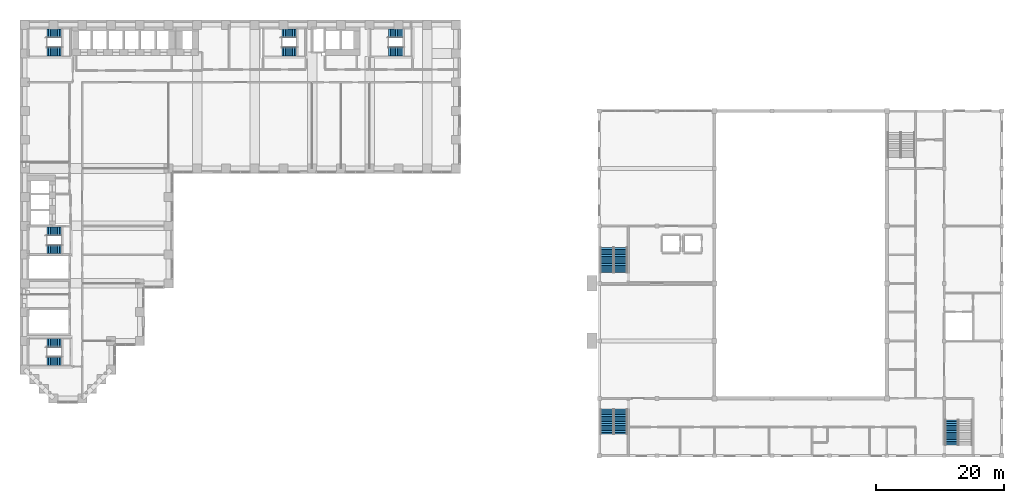
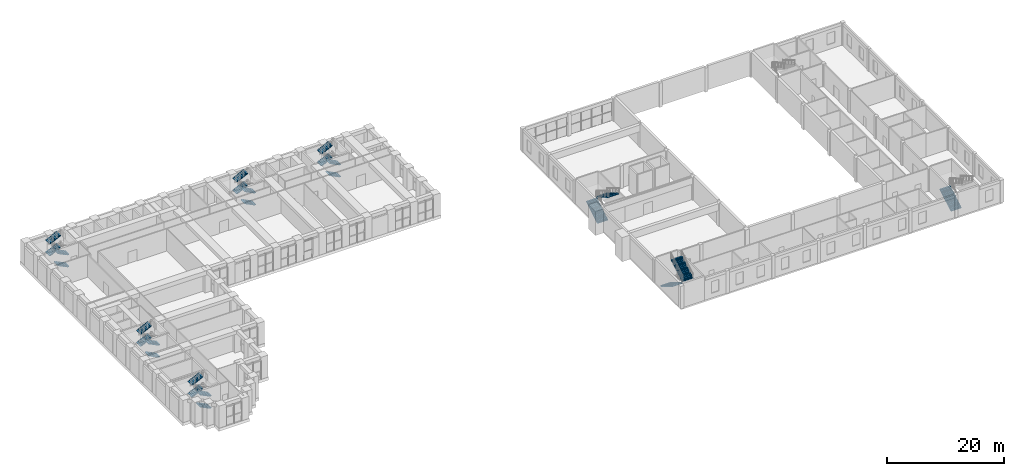
# One storey, part 24 of 30: 25 stair flights, 8 elements without a shape of their own.
"""IFC4 building model written with IfcOpenShell, lengths in metres."""

from ifc_helpers import new_model, si_unit, direction, frame, origin, place, context, subcontext, project, spatial, polyline, outline, extrude, material, layer, layer_set, type_object, element, aggregate, save


model = new_model("IFC4")

# Units and contexts
model_context = context("Model", 3, precision=1e-05, world=origin(), true_north=direction((0.0, 1.0)))
body_context = subcontext(model_context, "Body", "Model", "MODEL_VIEW")
ifc_project = project(units=[si_unit("LENGTHUNIT", "METRE"), si_unit("AREAUNIT", "SQUARE_METRE"), si_unit("VOLUMEUNIT", "CUBIC_METRE"), si_unit("PLANEANGLEUNIT", "RADIAN"), si_unit("MASSUNIT", "GRAM", prefix="KILO")], contexts=[model_context])

# Site, building, storey
site_placement = place(None, origin())
site = spatial("IfcSite", under=ifc_project, at=site_placement, CompositionType="ELEMENT")
building_placement = place(site_placement, origin())
building = spatial("IfcBuilding", under=site, at=building_placement, Name="Firuza Court", CompositionType="ELEMENT")
storey_placement = place(building_placement, frame((0.0, 0.0, 9.0)))
storey = spatial("IfcBuildingStorey", under=building, at=storey_placement, Name="L01", CompositionType="ELEMENT", Elevation=9.0)

# Stair, stair flights
ifc_material_1 = material(Name="Concrete C40/50 precast", Category="concrete")
stair_type_1 = type_object("IfcStairType", Name="Stair 1350 x 5000 4 flights", PredefinedType="QUARTER_TURN_STAIR", material=ifc_material_1)
stair_1_placement = place(storey_placement, origin())
stair_1 = element("IfcStair", 1, at=stair_1_placement, inside=storey, type_object=stair_type_1, Name="Stair 1 L01", PredefinedType="QUARTER_TURN_STAIR")
ifc_material_2 = material(Name="Concrete C40/50 precast", Category="concrete")
stair_flight_type_1 = type_object("IfcStairFlightType", Name="Flight 1350 riser 138.9", PredefinedType="STRAIGHT", material=ifc_material_2)
stair_flight_1_placement = place(storey_placement, frame((42.5, 54.324951171875, 0.0), z_axis=(0.0, 0.0, 1.0), x_axis=(-1.0, 0.0, 0.0)))
stair_flight_1 = element("IfcStairFlight", 2, at=stair_flight_1_placement, type_object=stair_flight_type_1, Name="S1 flight 1", NumberOfRisers=9, NumberOfTreads=8, PredefinedType="STRAIGHT", RiserHeight=0.138888889, TreadLength=0.28, context=body_context, shape_type="SweptSolid", body=[
    extrude(outline(polyline([(0.0, 0.0), (0.0, 0.138916015625), (0.280029296875, 0.138916015625), (0.280029296875, 0.27783203125), (0.56005859375, 0.27783203125), (0.56005859375, 0.416748046875), (0.840087890625, 0.416748046875), (0.840087890625, 0.5556640625), (1.1201171875, 0.5556640625), (1.1201171875, 0.6943359375), (1.39990234375, 0.6943359375), (1.39990234375, 0.833251953125), (1.679931640625, 0.833251953125), (1.679931640625, 0.97216796875), (1.9599609375, 0.97216796875), (1.9599609375, 1.111083984375), (2.239990234375, 1.111083984375), (2.239990234375, 1.25), (2.239990234375, 0.94384765625), (0.33740234375, 0.0), (0.0, 0.0)])), frame((0.0, 0.675048828125, 0.0), z_axis=(0.0, -1.0, 0.0), x_axis=(1.0, 0.0, 0.0)), (0.0, 0.0, 1.0), 1.35009765625),
])
stair_flight_2_placement = place(storey_placement, frame((40.260009765625, 57.175048828125, 1.25), z_axis=(0.0, 0.0, 1.0), x_axis=(1.0, 0.0, 0.0)))
stair_flight_2 = element("IfcStairFlight", 3, at=stair_flight_2_placement, type_object=stair_flight_type_1, Name="S1 flight 2", NumberOfRisers=9, NumberOfTreads=8, PredefinedType="STRAIGHT", RiserHeight=0.138888889, TreadLength=0.28, context=body_context, shape_type="SweptSolid", body=[
    extrude(outline(polyline([(0.0, 0.0), (0.0, 0.138916015625), (0.280029296875, 0.138916015625), (0.280029296875, 0.27783203125), (0.56005859375, 0.27783203125), (0.56005859375, 0.416748046875), (0.840087890625, 0.416748046875), (0.840087890625, 0.5556640625), (1.1201171875, 0.5556640625), (1.1201171875, 0.6943359375), (1.39990234375, 0.6943359375), (1.39990234375, 0.833251953125), (1.679931640625, 0.833251953125), (1.679931640625, 0.97216796875), (1.9599609375, 0.97216796875), (1.9599609375, 1.111083984375), (2.239990234375, 1.111083984375), (2.239990234375, 1.25), (2.239990234375, 0.94384765625), (0.33740234375, 0.0), (0.0, 0.0)])), frame((0.0, 0.675048828125, 0.0), z_axis=(0.0, -1.0, 0.0), x_axis=(1.0, 0.0, 0.0)), (0.0, 0.0, 1.0), 1.35009765625),
])
stair_flight_3_placement = place(storey_placement, frame((42.5, 54.324951171875, 2.5), z_axis=(0.0, 0.0, 1.0), x_axis=(-1.0, 0.0, 0.0)))
stair_flight_3 = element("IfcStairFlight", 4, at=stair_flight_3_placement, type_object=stair_flight_type_1, Name="S1 flight 3", NumberOfRisers=9, NumberOfTreads=8, PredefinedType="STRAIGHT", RiserHeight=0.138888889, TreadLength=0.28, context=body_context, shape_type="SweptSolid", body=[
    extrude(outline(polyline([(0.0, 0.0), (0.0, 0.138916015625), (0.280029296875, 0.138916015625), (0.280029296875, 0.27783203125), (0.56005859375, 0.27783203125), (0.56005859375, 0.416748046875), (0.840087890625, 0.416748046875), (0.840087890625, 0.5556640625), (1.1201171875, 0.5556640625), (1.1201171875, 0.6943359375), (1.39990234375, 0.6943359375), (1.39990234375, 0.833251953125), (1.679931640625, 0.833251953125), (1.679931640625, 0.97216796875), (1.9599609375, 0.97216796875), (1.9599609375, 1.111083984375), (2.239990234375, 1.111083984375), (2.239990234375, 1.25), (2.239990234375, 0.94384765625), (0.33740234375, 0.0), (0.0, 0.0)])), frame((0.0, 0.675048828125, 0.0), z_axis=(0.0, -1.0, 0.0), x_axis=(1.0, 0.0, 0.0)), (0.0, 0.0, 1.0), 1.35009765625),
])
stair_flight_4_placement = place(storey_placement, frame((40.260009765625, 57.175048828125, 3.75), z_axis=(0.0, 0.0, 1.0), x_axis=(1.0, 0.0, 0.0)))
stair_flight_4 = element("IfcStairFlight", 5, at=stair_flight_4_placement, type_object=stair_flight_type_1, Name="S1 flight 4", NumberOfRisers=9, NumberOfTreads=8, PredefinedType="STRAIGHT", RiserHeight=0.138888889, TreadLength=0.28, context=body_context, shape_type="SweptSolid", body=[
    extrude(outline(polyline([(0.0, 0.0), (0.0, 0.138916015625), (0.280029296875, 0.138916015625), (0.280029296875, 0.27783203125), (0.56005859375, 0.27783203125), (0.56005859375, 0.416748046875), (0.840087890625, 0.416748046875), (0.840087890625, 0.5556640625), (1.1201171875, 0.5556640625), (1.1201171875, 0.6943359375), (1.39990234375, 0.6943359375), (1.39990234375, 0.833251953125), (1.679931640625, 0.833251953125), (1.679931640625, 0.97216796875), (1.9599609375, 0.97216796875), (1.9599609375, 1.111083984375), (2.239990234375, 1.111083984375), (2.239990234375, 1.25), (2.239990234375, 0.94384765625), (0.33740234375, 0.0), (0.0, 0.0)])), frame((0.0, 0.675048828125, 0.0), z_axis=(0.0, -1.0, 0.0), x_axis=(1.0, 0.0, 0.0)), (0.0, 0.0, 1.0), 1.35009765625),
])
aggregate(stair_1, [stair_flight_1, stair_flight_2, stair_flight_3, stair_flight_4])

stair_2_placement = place(storey_placement, origin())
stair_2 = element("IfcStair", 6, at=stair_2_placement, inside=storey, type_object=stair_type_1, Name="Stair 2 L01", PredefinedType="QUARTER_TURN_STAIR")
stair_flight_5_placement = place(storey_placement, frame((5.699951171875, 23.324951171875, 0.0), z_axis=(0.0, 0.0, 1.0), x_axis=(-1.0, 0.0, 0.0)))
stair_flight_5 = element("IfcStairFlight", 7, at=stair_flight_5_placement, type_object=stair_flight_type_1, Name="S2 flight 1", NumberOfRisers=9, NumberOfTreads=8, PredefinedType="STRAIGHT", RiserHeight=0.138888889, TreadLength=0.28, context=body_context, shape_type="SweptSolid", body=[
    extrude(outline(polyline([(0.0, 0.0), (0.0, 0.138916015625), (0.280029296875, 0.138916015625), (0.280029296875, 0.27783203125), (0.56005859375, 0.27783203125), (0.56005859375, 0.416748046875), (0.840087890625, 0.416748046875), (0.840087890625, 0.5556640625), (1.1201171875, 0.5556640625), (1.1201171875, 0.6943359375), (1.39990234375, 0.6943359375), (1.39990234375, 0.833251953125), (1.679931640625, 0.833251953125), (1.679931640625, 0.97216796875), (1.9599609375, 0.97216796875), (1.9599609375, 1.111083984375), (2.239990234375, 1.111083984375), (2.239990234375, 1.25), (2.239990234375, 0.94384765625), (0.33740234375, 0.0), (0.0, 0.0)])), frame((0.0, 0.675048828125, 0.0), z_axis=(0.0, -1.0, 0.0), x_axis=(1.0, 0.0, 0.0)), (0.0, 0.0, 1.0), 1.35009765625),
])
stair_flight_6_placement = place(storey_placement, frame((3.4599609375, 26.175048828125, 1.25), z_axis=(0.0, 0.0, 1.0), x_axis=(1.0, 0.0, 0.0)))
stair_flight_6 = element("IfcStairFlight", 8, at=stair_flight_6_placement, type_object=stair_flight_type_1, Name="S2 flight 2", NumberOfRisers=9, NumberOfTreads=8, PredefinedType="STRAIGHT", RiserHeight=0.138888889, TreadLength=0.28, context=body_context, shape_type="SweptSolid", body=[
    extrude(outline(polyline([(0.0, 0.0), (0.0, 0.138916015625), (0.280029296875, 0.138916015625), (0.280029296875, 0.27783203125), (0.56005859375, 0.27783203125), (0.56005859375, 0.416748046875), (0.840087890625, 0.416748046875), (0.840087890625, 0.5556640625), (1.1201171875, 0.5556640625), (1.1201171875, 0.6943359375), (1.39990234375, 0.6943359375), (1.39990234375, 0.833251953125), (1.679931640625, 0.833251953125), (1.679931640625, 0.97216796875), (1.9599609375, 0.97216796875), (1.9599609375, 1.111083984375), (2.239990234375, 1.111083984375), (2.239990234375, 1.25), (2.239990234375, 0.94384765625), (0.33740234375, 0.0), (0.0, 0.0)])), frame((0.0, 0.675048828125, 0.0), z_axis=(0.0, -1.0, 0.0), x_axis=(1.0, 0.0, 0.0)), (0.0, 0.0, 1.0), 1.35009765625),
])
stair_flight_7_placement = place(storey_placement, frame((5.699951171875, 23.324951171875, 2.5), z_axis=(0.0, 0.0, 1.0), x_axis=(-1.0, 0.0, 0.0)))
stair_flight_7 = element("IfcStairFlight", 9, at=stair_flight_7_placement, type_object=stair_flight_type_1, Name="S2 flight 3", NumberOfRisers=9, NumberOfTreads=8, PredefinedType="STRAIGHT", RiserHeight=0.138888889, TreadLength=0.28, context=body_context, shape_type="SweptSolid", body=[
    extrude(outline(polyline([(0.0, 0.0), (0.0, 0.138916015625), (0.280029296875, 0.138916015625), (0.280029296875, 0.27783203125), (0.56005859375, 0.27783203125), (0.56005859375, 0.416748046875), (0.840087890625, 0.416748046875), (0.840087890625, 0.5556640625), (1.1201171875, 0.5556640625), (1.1201171875, 0.6943359375), (1.39990234375, 0.6943359375), (1.39990234375, 0.833251953125), (1.679931640625, 0.833251953125), (1.679931640625, 0.97216796875), (1.9599609375, 0.97216796875), (1.9599609375, 1.111083984375), (2.239990234375, 1.111083984375), (2.239990234375, 1.25), (2.239990234375, 0.94384765625), (0.33740234375, 0.0), (0.0, 0.0)])), frame((0.0, 0.675048828125, 0.0), z_axis=(0.0, -1.0, 0.0), x_axis=(1.0, 0.0, 0.0)), (0.0, 0.0, 1.0), 1.35009765625),
])
stair_flight_8_placement = place(storey_placement, frame((3.4599609375, 26.175048828125, 3.75), z_axis=(0.0, 0.0, 1.0), x_axis=(1.0, 0.0, 0.0)))
stair_flight_8 = element("IfcStairFlight", 10, at=stair_flight_8_placement, type_object=stair_flight_type_1, Name="S2 flight 4", NumberOfRisers=9, NumberOfTreads=8, PredefinedType="STRAIGHT", RiserHeight=0.138888889, TreadLength=0.28, context=body_context, shape_type="SweptSolid", body=[
    extrude(outline(polyline([(0.0, 0.0), (0.0, 0.138916015625), (0.280029296875, 0.138916015625), (0.280029296875, 0.27783203125), (0.56005859375, 0.27783203125), (0.56005859375, 0.416748046875), (0.840087890625, 0.416748046875), (0.840087890625, 0.5556640625), (1.1201171875, 0.5556640625), (1.1201171875, 0.6943359375), (1.39990234375, 0.6943359375), (1.39990234375, 0.833251953125), (1.679931640625, 0.833251953125), (1.679931640625, 0.97216796875), (1.9599609375, 0.97216796875), (1.9599609375, 1.111083984375), (2.239990234375, 1.111083984375), (2.239990234375, 1.25), (2.239990234375, 0.94384765625), (0.33740234375, 0.0), (0.0, 0.0)])), frame((0.0, 0.675048828125, 0.0), z_axis=(0.0, -1.0, 0.0), x_axis=(1.0, 0.0, 0.0)), (0.0, 0.0, 1.0), 1.35009765625),
])
aggregate(stair_2, [stair_flight_5, stair_flight_6, stair_flight_7, stair_flight_8])

stair_3_placement = place(storey_placement, origin())
stair_3 = element("IfcStair", 11, at=stair_3_placement, inside=storey, type_object=stair_type_1, Name="Stair 3 L01", PredefinedType="QUARTER_TURN_STAIR")
stair_flight_9_placement = place(storey_placement, frame((5.699951171875, 54.324951171875, 0.0), z_axis=(0.0, 0.0, 1.0), x_axis=(-1.0, 0.0, 0.0)))
stair_flight_9 = element("IfcStairFlight", 12, at=stair_flight_9_placement, type_object=stair_flight_type_1, Name="S3 flight 1", NumberOfRisers=9, NumberOfTreads=8, PredefinedType="STRAIGHT", RiserHeight=0.138888889, TreadLength=0.28, context=body_context, shape_type="SweptSolid", body=[
    extrude(outline(polyline([(0.0, 0.0), (0.0, 0.138916015625), (0.280029296875, 0.138916015625), (0.280029296875, 0.27783203125), (0.56005859375, 0.27783203125), (0.56005859375, 0.416748046875), (0.840087890625, 0.416748046875), (0.840087890625, 0.5556640625), (1.1201171875, 0.5556640625), (1.1201171875, 0.6943359375), (1.39990234375, 0.6943359375), (1.39990234375, 0.833251953125), (1.679931640625, 0.833251953125), (1.679931640625, 0.97216796875), (1.9599609375, 0.97216796875), (1.9599609375, 1.111083984375), (2.239990234375, 1.111083984375), (2.239990234375, 1.25), (2.239990234375, 0.94384765625), (0.33740234375, 0.0), (0.0, 0.0)])), frame((0.0, 0.675048828125, 0.0), z_axis=(0.0, -1.0, 0.0), x_axis=(1.0, 0.0, 0.0)), (0.0, 0.0, 1.0), 1.35009765625),
])
stair_flight_10_placement = place(storey_placement, frame((3.4599609375, 57.175048828125, 1.25), z_axis=(0.0, 0.0, 1.0), x_axis=(1.0, 0.0, 0.0)))
stair_flight_10 = element("IfcStairFlight", 13, at=stair_flight_10_placement, type_object=stair_flight_type_1, Name="S3 flight 2", NumberOfRisers=9, NumberOfTreads=8, PredefinedType="STRAIGHT", RiserHeight=0.138888889, TreadLength=0.28, context=body_context, shape_type="SweptSolid", body=[
    extrude(outline(polyline([(0.0, 0.0), (0.0, 0.138916015625), (0.280029296875, 0.138916015625), (0.280029296875, 0.27783203125), (0.56005859375, 0.27783203125), (0.56005859375, 0.416748046875), (0.840087890625, 0.416748046875), (0.840087890625, 0.5556640625), (1.1201171875, 0.5556640625), (1.1201171875, 0.6943359375), (1.39990234375, 0.6943359375), (1.39990234375, 0.833251953125), (1.679931640625, 0.833251953125), (1.679931640625, 0.97216796875), (1.9599609375, 0.97216796875), (1.9599609375, 1.111083984375), (2.239990234375, 1.111083984375), (2.239990234375, 1.25), (2.239990234375, 0.94384765625), (0.33740234375, 0.0), (0.0, 0.0)])), frame((0.0, 0.675048828125, 0.0), z_axis=(0.0, -1.0, 0.0), x_axis=(1.0, 0.0, 0.0)), (0.0, 0.0, 1.0), 1.35009765625),
])
stair_flight_11_placement = place(storey_placement, frame((5.699951171875, 54.324951171875, 2.5), z_axis=(0.0, 0.0, 1.0), x_axis=(-1.0, 0.0, 0.0)))
stair_flight_11 = element("IfcStairFlight", 14, at=stair_flight_11_placement, type_object=stair_flight_type_1, Name="S3 flight 3", NumberOfRisers=9, NumberOfTreads=8, PredefinedType="STRAIGHT", RiserHeight=0.138888889, TreadLength=0.28, context=body_context, shape_type="SweptSolid", body=[
    extrude(outline(polyline([(0.0, 0.0), (0.0, 0.138916015625), (0.280029296875, 0.138916015625), (0.280029296875, 0.27783203125), (0.56005859375, 0.27783203125), (0.56005859375, 0.416748046875), (0.840087890625, 0.416748046875), (0.840087890625, 0.5556640625), (1.1201171875, 0.5556640625), (1.1201171875, 0.6943359375), (1.39990234375, 0.6943359375), (1.39990234375, 0.833251953125), (1.679931640625, 0.833251953125), (1.679931640625, 0.97216796875), (1.9599609375, 0.97216796875), (1.9599609375, 1.111083984375), (2.239990234375, 1.111083984375), (2.239990234375, 1.25), (2.239990234375, 0.94384765625), (0.33740234375, 0.0), (0.0, 0.0)])), frame((0.0, 0.675048828125, 0.0), z_axis=(0.0, -1.0, 0.0), x_axis=(1.0, 0.0, 0.0)), (0.0, 0.0, 1.0), 1.35009765625),
])
stair_flight_12_placement = place(storey_placement, frame((3.4599609375, 57.175048828125, 3.75), z_axis=(0.0, 0.0, 1.0), x_axis=(1.0, 0.0, 0.0)))
stair_flight_12 = element("IfcStairFlight", 15, at=stair_flight_12_placement, type_object=stair_flight_type_1, Name="S3 flight 4", NumberOfRisers=9, NumberOfTreads=8, PredefinedType="STRAIGHT", RiserHeight=0.138888889, TreadLength=0.28, context=body_context, shape_type="SweptSolid", body=[
    extrude(outline(polyline([(0.0, 0.0), (0.0, 0.138916015625), (0.280029296875, 0.138916015625), (0.280029296875, 0.27783203125), (0.56005859375, 0.27783203125), (0.56005859375, 0.416748046875), (0.840087890625, 0.416748046875), (0.840087890625, 0.5556640625), (1.1201171875, 0.5556640625), (1.1201171875, 0.6943359375), (1.39990234375, 0.6943359375), (1.39990234375, 0.833251953125), (1.679931640625, 0.833251953125), (1.679931640625, 0.97216796875), (1.9599609375, 0.97216796875), (1.9599609375, 1.111083984375), (2.239990234375, 1.111083984375), (2.239990234375, 1.25), (2.239990234375, 0.94384765625), (0.33740234375, 0.0), (0.0, 0.0)])), frame((0.0, 0.675048828125, 0.0), z_axis=(0.0, -1.0, 0.0), x_axis=(1.0, 0.0, 0.0)), (0.0, 0.0, 1.0), 1.35009765625),
])
aggregate(stair_3, [stair_flight_9, stair_flight_10, stair_flight_11, stair_flight_12])

stair_4_placement = place(storey_placement, origin())
stair_4 = element("IfcStair", 16, at=stair_4_placement, inside=storey, type_object=stair_type_1, Name="Stair 4 L01", PredefinedType="QUARTER_TURN_STAIR")
stair_flight_13_placement = place(storey_placement, frame((59.199951171875, 54.324951171875, 0.0), z_axis=(0.0, 0.0, 1.0), x_axis=(-1.0, 0.0, 0.0)))
stair_flight_13 = element("IfcStairFlight", 17, at=stair_flight_13_placement, type_object=stair_flight_type_1, Name="S4 flight 1", NumberOfRisers=9, NumberOfTreads=8, PredefinedType="STRAIGHT", RiserHeight=0.138888889, TreadLength=0.28, context=body_context, shape_type="SweptSolid", body=[
    extrude(outline(polyline([(0.0, 0.0), (0.0, 0.138916015625), (0.280029296875, 0.138916015625), (0.280029296875, 0.27783203125), (0.56005859375, 0.27783203125), (0.56005859375, 0.416748046875), (0.840087890625, 0.416748046875), (0.840087890625, 0.5556640625), (1.1201171875, 0.5556640625), (1.1201171875, 0.6943359375), (1.39990234375, 0.6943359375), (1.39990234375, 0.833251953125), (1.679931640625, 0.833251953125), (1.679931640625, 0.97216796875), (1.9599609375, 0.97216796875), (1.9599609375, 1.111083984375), (2.239990234375, 1.111083984375), (2.239990234375, 1.25), (2.239990234375, 0.94384765625), (0.33740234375, 0.0), (0.0, 0.0)])), frame((0.0, 0.675048828125, 0.0), z_axis=(0.0, -1.0, 0.0), x_axis=(1.0, 0.0, 0.0)), (0.0, 0.0, 1.0), 1.35009765625),
])
stair_flight_14_placement = place(storey_placement, frame((56.9599609375, 57.175048828125, 1.25), z_axis=(0.0, 0.0, 1.0), x_axis=(1.0, 0.0, 0.0)))
stair_flight_14 = element("IfcStairFlight", 18, at=stair_flight_14_placement, type_object=stair_flight_type_1, Name="S4 flight 2", NumberOfRisers=9, NumberOfTreads=8, PredefinedType="STRAIGHT", RiserHeight=0.138888889, TreadLength=0.28, context=body_context, shape_type="SweptSolid", body=[
    extrude(outline(polyline([(0.0, 0.0), (0.0, 0.138916015625), (0.280029296875, 0.138916015625), (0.280029296875, 0.27783203125), (0.56005859375, 0.27783203125), (0.56005859375, 0.416748046875), (0.840087890625, 0.416748046875), (0.840087890625, 0.5556640625), (1.1201171875, 0.5556640625), (1.1201171875, 0.6943359375), (1.39990234375, 0.6943359375), (1.39990234375, 0.833251953125), (1.679931640625, 0.833251953125), (1.679931640625, 0.97216796875), (1.9599609375, 0.97216796875), (1.9599609375, 1.111083984375), (2.239990234375, 1.111083984375), (2.239990234375, 1.25), (2.239990234375, 0.94384765625), (0.33740234375, 0.0), (0.0, 0.0)])), frame((0.0, 0.675048828125, 0.0), z_axis=(0.0, -1.0, 0.0), x_axis=(1.0, 0.0, 0.0)), (0.0, 0.0, 1.0), 1.35009765625),
])
stair_flight_15_placement = place(storey_placement, frame((59.199951171875, 54.324951171875, 2.5), z_axis=(0.0, 0.0, 1.0), x_axis=(-1.0, 0.0, 0.0)))
stair_flight_15 = element("IfcStairFlight", 19, at=stair_flight_15_placement, type_object=stair_flight_type_1, Name="S4 flight 3", NumberOfRisers=9, NumberOfTreads=8, PredefinedType="STRAIGHT", RiserHeight=0.138888889, TreadLength=0.28, context=body_context, shape_type="SweptSolid", body=[
    extrude(outline(polyline([(0.0, 0.0), (0.0, 0.138916015625), (0.280029296875, 0.138916015625), (0.280029296875, 0.27783203125), (0.56005859375, 0.27783203125), (0.56005859375, 0.416748046875), (0.840087890625, 0.416748046875), (0.840087890625, 0.5556640625), (1.1201171875, 0.5556640625), (1.1201171875, 0.6943359375), (1.39990234375, 0.6943359375), (1.39990234375, 0.833251953125), (1.679931640625, 0.833251953125), (1.679931640625, 0.97216796875), (1.9599609375, 0.97216796875), (1.9599609375, 1.111083984375), (2.239990234375, 1.111083984375), (2.239990234375, 1.25), (2.239990234375, 0.94384765625), (0.33740234375, 0.0), (0.0, 0.0)])), frame((0.0, 0.675048828125, 0.0), z_axis=(0.0, -1.0, 0.0), x_axis=(1.0, 0.0, 0.0)), (0.0, 0.0, 1.0), 1.35009765625),
])
stair_flight_16_placement = place(storey_placement, frame((56.9599609375, 57.175048828125, 3.75), z_axis=(0.0, 0.0, 1.0), x_axis=(1.0, 0.0, 0.0)))
stair_flight_16 = element("IfcStairFlight", 20, at=stair_flight_16_placement, type_object=stair_flight_type_1, Name="S4 flight 4", NumberOfRisers=9, NumberOfTreads=8, PredefinedType="STRAIGHT", RiserHeight=0.138888889, TreadLength=0.28, context=body_context, shape_type="SweptSolid", body=[
    extrude(outline(polyline([(0.0, 0.0), (0.0, 0.138916015625), (0.280029296875, 0.138916015625), (0.280029296875, 0.27783203125), (0.56005859375, 0.27783203125), (0.56005859375, 0.416748046875), (0.840087890625, 0.416748046875), (0.840087890625, 0.5556640625), (1.1201171875, 0.5556640625), (1.1201171875, 0.6943359375), (1.39990234375, 0.6943359375), (1.39990234375, 0.833251953125), (1.679931640625, 0.833251953125), (1.679931640625, 0.97216796875), (1.9599609375, 0.97216796875), (1.9599609375, 1.111083984375), (2.239990234375, 1.111083984375), (2.239990234375, 1.25), (2.239990234375, 0.94384765625), (0.33740234375, 0.0), (0.0, 0.0)])), frame((0.0, 0.675048828125, 0.0), z_axis=(0.0, -1.0, 0.0), x_axis=(1.0, 0.0, 0.0)), (0.0, 0.0, 1.0), 1.35009765625),
])
aggregate(stair_4, [stair_flight_13, stair_flight_14, stair_flight_15, stair_flight_16])

stair_5_placement = place(storey_placement, origin())
stair_5 = element("IfcStair", 21, at=stair_5_placement, inside=storey, type_object=stair_type_1, Name="Stair 5 L01", PredefinedType="QUARTER_TURN_STAIR")
stair_flight_17_placement = place(storey_placement, frame((5.699951171875, 5.824951171875, 0.0), z_axis=(0.0, 0.0, 1.0), x_axis=(-1.0, 0.0, 0.0)))
stair_flight_17 = element("IfcStairFlight", 22, at=stair_flight_17_placement, type_object=stair_flight_type_1, Name="S5 flight 1", NumberOfRisers=9, NumberOfTreads=8, PredefinedType="STRAIGHT", RiserHeight=0.138888889, TreadLength=0.28, context=body_context, shape_type="SweptSolid", body=[
    extrude(outline(polyline([(0.0, 0.0), (0.0, 0.138916015625), (0.280029296875, 0.138916015625), (0.280029296875, 0.27783203125), (0.56005859375, 0.27783203125), (0.56005859375, 0.416748046875), (0.840087890625, 0.416748046875), (0.840087890625, 0.5556640625), (1.1201171875, 0.5556640625), (1.1201171875, 0.6943359375), (1.39990234375, 0.6943359375), (1.39990234375, 0.833251953125), (1.679931640625, 0.833251953125), (1.679931640625, 0.97216796875), (1.9599609375, 0.97216796875), (1.9599609375, 1.111083984375), (2.239990234375, 1.111083984375), (2.239990234375, 1.25), (2.239990234375, 0.94384765625), (0.33740234375, 0.0), (0.0, 0.0)])), frame((0.0, 0.675048828125, 0.0), z_axis=(0.0, -1.0, 0.0), x_axis=(1.0, 0.0, 0.0)), (0.0, 0.0, 1.0), 1.35009765625),
])
stair_flight_18_placement = place(storey_placement, frame((3.4599609375, 8.675048828125, 1.25), z_axis=(0.0, 0.0, 1.0), x_axis=(1.0, 0.0, 0.0)))
stair_flight_18 = element("IfcStairFlight", 23, at=stair_flight_18_placement, type_object=stair_flight_type_1, Name="S5 flight 2", NumberOfRisers=9, NumberOfTreads=8, PredefinedType="STRAIGHT", RiserHeight=0.138888889, TreadLength=0.28, context=body_context, shape_type="SweptSolid", body=[
    extrude(outline(polyline([(0.0, 0.0), (0.0, 0.138916015625), (0.280029296875, 0.138916015625), (0.280029296875, 0.27783203125), (0.56005859375, 0.27783203125), (0.56005859375, 0.416748046875), (0.840087890625, 0.416748046875), (0.840087890625, 0.5556640625), (1.1201171875, 0.5556640625), (1.1201171875, 0.6943359375), (1.39990234375, 0.6943359375), (1.39990234375, 0.833251953125), (1.679931640625, 0.833251953125), (1.679931640625, 0.97216796875), (1.9599609375, 0.97216796875), (1.9599609375, 1.111083984375), (2.239990234375, 1.111083984375), (2.239990234375, 1.25), (2.239990234375, 0.94384765625), (0.33740234375, 0.0), (0.0, 0.0)])), frame((0.0, 0.675048828125, 0.0), z_axis=(0.0, -1.0, 0.0), x_axis=(1.0, 0.0, 0.0)), (0.0, 0.0, 1.0), 1.35009765625),
])
stair_flight_19_placement = place(storey_placement, frame((5.699951171875, 5.824951171875, 2.5), z_axis=(0.0, 0.0, 1.0), x_axis=(-1.0, 0.0, 0.0)))
stair_flight_19 = element("IfcStairFlight", 24, at=stair_flight_19_placement, type_object=stair_flight_type_1, Name="S5 flight 3", NumberOfRisers=9, NumberOfTreads=8, PredefinedType="STRAIGHT", RiserHeight=0.138888889, TreadLength=0.28, context=body_context, shape_type="SweptSolid", body=[
    extrude(outline(polyline([(0.0, 0.0), (0.0, 0.138916015625), (0.280029296875, 0.138916015625), (0.280029296875, 0.27783203125), (0.56005859375, 0.27783203125), (0.56005859375, 0.416748046875), (0.840087890625, 0.416748046875), (0.840087890625, 0.5556640625), (1.1201171875, 0.5556640625), (1.1201171875, 0.6943359375), (1.39990234375, 0.6943359375), (1.39990234375, 0.833251953125), (1.679931640625, 0.833251953125), (1.679931640625, 0.97216796875), (1.9599609375, 0.97216796875), (1.9599609375, 1.111083984375), (2.239990234375, 1.111083984375), (2.239990234375, 1.25), (2.239990234375, 0.94384765625), (0.33740234375, 0.0), (0.0, 0.0)])), frame((0.0, 0.675048828125, 0.0), z_axis=(0.0, -1.0, 0.0), x_axis=(1.0, 0.0, 0.0)), (0.0, 0.0, 1.0), 1.35009765625),
])
stair_flight_20_placement = place(storey_placement, frame((3.4599609375, 8.675048828125, 3.75), z_axis=(0.0, 0.0, 1.0), x_axis=(1.0, 0.0, 0.0)))
stair_flight_20 = element("IfcStairFlight", 25, at=stair_flight_20_placement, type_object=stair_flight_type_1, Name="S5 flight 4", NumberOfRisers=9, NumberOfTreads=8, PredefinedType="STRAIGHT", RiserHeight=0.138888889, TreadLength=0.28, context=body_context, shape_type="SweptSolid", body=[
    extrude(outline(polyline([(0.0, 0.0), (0.0, 0.138916015625), (0.280029296875, 0.138916015625), (0.280029296875, 0.27783203125), (0.56005859375, 0.27783203125), (0.56005859375, 0.416748046875), (0.840087890625, 0.416748046875), (0.840087890625, 0.5556640625), (1.1201171875, 0.5556640625), (1.1201171875, 0.6943359375), (1.39990234375, 0.6943359375), (1.39990234375, 0.833251953125), (1.679931640625, 0.833251953125), (1.679931640625, 0.97216796875), (1.9599609375, 0.97216796875), (1.9599609375, 1.111083984375), (2.239990234375, 1.111083984375), (2.239990234375, 1.25), (2.239990234375, 0.94384765625), (0.33740234375, 0.0), (0.0, 0.0)])), frame((0.0, 0.675048828125, 0.0), z_axis=(0.0, -1.0, 0.0), x_axis=(1.0, 0.0, 0.0)), (0.0, 0.0, 1.0), 1.35009765625),
])
aggregate(stair_5, [stair_flight_17, stair_flight_18, stair_flight_19, stair_flight_20])

ifc_material_3 = material(Name="Concrete C40/50", Category="concrete")
stair_type_2 = type_object("IfcStairType", Name="HALL STAIR", PredefinedType="NOTDEFINED", material=ifc_material_3)
stair_6_placement = place(storey_placement, origin())
stair_6 = element("IfcStair", 26, at=stair_6_placement, inside=storey, type_object=stair_type_2, Name="Stair H1 L01", PredefinedType="NOTDEFINED")
ifc_material_4 = material(Name="Concrete C40/50", Category="concrete")
ifc_layer = layer(ifc_material_4, 0.14990234375)
ifc_layer_set = layer_set([ifc_layer], Name="Concrete C40/50")
stair_flight_type_2 = type_object("IfcStairFlightType", Name="HALL STAIR FLIGHT", PredefinedType="STRAIGHT", material=ifc_layer_set)
stair_flight_21_placement = place(storey_placement, frame((91.16259765625, -1.699951171875, 0.0), z_axis=(0.0, 0.0, 1.0), x_axis=(0.0, -1.0, 0.0)))
stair_flight_21 = element("IfcStairFlight", 27, at=stair_flight_21_placement, type_object=stair_flight_type_2, Name="HS-1 flight 1", NumberOfRisers=15, NumberOfTreads=14, PredefinedType="STRAIGHT", RiserHeight=0.166666667, TreadLength=0.28, context=body_context, shape_type="SweptSolid", body=[
    extrude(outline(polyline([(0.0, 0.0), (0.0, 0.166748046875), (0.280029296875, 0.166748046875), (0.280029296875, 0.333251953125), (0.56005859375, 0.333251953125), (0.56005859375, 0.5), (0.840087890625, 0.5), (0.840087890625, 0.666748046875), (1.1201171875, 0.666748046875), (1.1201171875, 0.833251953125), (1.39990234375, 0.833251953125), (1.39990234375, 1.0), (1.679931640625, 1.0), (1.679931640625, 1.166748046875), (1.9599609375, 1.166748046875), (1.9599609375, 1.333251953125), (2.239990234375, 1.333251953125), (2.239990234375, 1.5), (2.52001953125, 1.5), (2.52001953125, 1.666748046875), (2.800048828125, 1.666748046875), (2.800048828125, 1.833251953125), (3.080078125, 1.833251953125), (3.080078125, 2.0), (3.360107421875, 2.0), (3.360107421875, 2.166748046875), (3.639892578125, 2.166748046875), (3.639892578125, 2.333251953125), (3.919921875, 2.333251953125), (3.919921875, 2.5), (3.919921875, 2.158935546875), (0.29296875, 0.0), (0.0, 0.0)])), frame((0.0, 1.03759765625, 0.0), z_axis=(0.0, -1.0, 0.0), x_axis=(1.0, 0.0, 0.0)), (0.0, 0.0, 1.0), 2.074951171875),
])
stair_flight_22_placement = place(storey_placement, frame((93.28759765625, -5.6201171875, 2.5), z_axis=(0.0, 0.0, 1.0), x_axis=(0.0, 1.0, 0.0)))
stair_flight_22 = element("IfcStairFlight", 28, at=stair_flight_22_placement, type_object=stair_flight_type_2, Name="HS-1 flight 2", NumberOfRisers=15, NumberOfTreads=14, PredefinedType="STRAIGHT", RiserHeight=0.166666667, TreadLength=0.28, context=body_context, shape_type="SweptSolid", body=[
    extrude(outline(polyline([(0.0, 0.0), (0.0, 0.166748046875), (0.280029296875, 0.166748046875), (0.280029296875, 0.333251953125), (0.56005859375, 0.333251953125), (0.56005859375, 0.5), (0.840087890625, 0.5), (0.840087890625, 0.666748046875), (1.1201171875, 0.666748046875), (1.1201171875, 0.833251953125), (1.39990234375, 0.833251953125), (1.39990234375, 1.0), (1.679931640625, 1.0), (1.679931640625, 1.166748046875), (1.9599609375, 1.166748046875), (1.9599609375, 1.333251953125), (2.239990234375, 1.333251953125), (2.239990234375, 1.5), (2.52001953125, 1.5), (2.52001953125, 1.666748046875), (2.800048828125, 1.666748046875), (2.800048828125, 1.833251953125), (3.080078125, 1.833251953125), (3.080078125, 2.0), (3.360107421875, 2.0), (3.360107421875, 2.166748046875), (3.639892578125, 2.166748046875), (3.639892578125, 2.333251953125), (3.919921875, 2.333251953125), (3.919921875, 2.5), (3.919921875, 2.158935546875), (0.29296875, 0.0), (0.0, 0.0)])), frame((0.0, 1.08740234375, 0.0), z_axis=(0.0, -1.0, 0.0), x_axis=(1.0, 0.0, 0.0)), (0.0, 0.0, 1.0), 2.175048828125),
])
aggregate(stair_6, [stair_flight_21, stair_flight_22])

# Stair, stair flight
stair_7_placement = place(storey_placement, origin())
stair_7 = element("IfcStair", 29, at=stair_7_placement, inside=storey, type_object=stair_type_2, Name="Stair H2 L01", PredefinedType="NOTDEFINED")
stair_flight_23_placement = place(storey_placement, frame((145.16259765625, -7.300048828125, 0.0), z_axis=(0.0, 0.0, 1.0), x_axis=(0.0, 1.0, 0.0)))
stair_flight_23 = element("IfcStairFlight", 30, at=stair_flight_23_placement, type_object=stair_flight_type_2, Name="HS-2 flight 1", NumberOfRisers=15, NumberOfTreads=14, PredefinedType="STRAIGHT", RiserHeight=0.166666667, TreadLength=0.28, context=body_context, shape_type="SweptSolid", body=[
    extrude(outline(polyline([(0.0, 0.0), (0.0, 0.166748046875), (0.280029296875, 0.166748046875), (0.280029296875, 0.333251953125), (0.56005859375, 0.333251953125), (0.56005859375, 0.5), (0.840087890625, 0.5), (0.840087890625, 0.666748046875), (1.1201171875, 0.666748046875), (1.1201171875, 0.833251953125), (1.39990234375, 0.833251953125), (1.39990234375, 1.0), (1.679931640625, 1.0), (1.679931640625, 1.166748046875), (1.9599609375, 1.166748046875), (1.9599609375, 1.333251953125), (2.239990234375, 1.333251953125), (2.239990234375, 1.5), (2.52001953125, 1.5), (2.52001953125, 1.666748046875), (2.800048828125, 1.666748046875), (2.800048828125, 1.833251953125), (3.080078125, 1.833251953125), (3.080078125, 2.0), (3.360107421875, 2.0), (3.360107421875, 2.166748046875), (3.639892578125, 2.166748046875), (3.639892578125, 2.333251953125), (3.919921875, 2.333251953125), (3.919921875, 2.5), (3.919921875, 2.158935546875), (0.29296875, 0.0), (0.0, 0.0)])), frame((0.0, 1.03759765625, 0.0), z_axis=(0.0, -1.0, 0.0), x_axis=(1.0, 0.0, 0.0)), (0.0, 0.0, 1.0), 2.074951171875),
])
aggregate(stair_7, [stair_flight_23])

# Stair, stair flights
stair_8_placement = place(storey_placement, origin())
stair_8 = element("IfcStair", 31, at=stair_8_placement, inside=storey, type_object=stair_type_2, Name="Stair H3 L01", PredefinedType="NOTDEFINED")
stair_flight_24_placement = place(storey_placement, frame((91.16259765625, 19.699951171875, 0.0), z_axis=(0.0, 0.0, 1.0), x_axis=(0.0, 1.0, 0.0)))
stair_flight_24 = element("IfcStairFlight", 32, at=stair_flight_24_placement, type_object=stair_flight_type_2, Name="HS-3 flight 1", NumberOfRisers=15, NumberOfTreads=14, PredefinedType="STRAIGHT", RiserHeight=0.166666667, TreadLength=0.28, context=body_context, shape_type="SweptSolid", body=[
    extrude(outline(polyline([(0.0, 0.0), (0.0, 0.166748046875), (0.280029296875, 0.166748046875), (0.280029296875, 0.333251953125), (0.56005859375, 0.333251953125), (0.56005859375, 0.5), (0.840087890625, 0.5), (0.840087890625, 0.666748046875), (1.1201171875, 0.666748046875), (1.1201171875, 0.833251953125), (1.39990234375, 0.833251953125), (1.39990234375, 1.0), (1.679931640625, 1.0), (1.679931640625, 1.166748046875), (1.9599609375, 1.166748046875), (1.9599609375, 1.333251953125), (2.239990234375, 1.333251953125), (2.239990234375, 1.5), (2.52001953125, 1.5), (2.52001953125, 1.666748046875), (2.800048828125, 1.666748046875), (2.800048828125, 1.833251953125), (3.080078125, 1.833251953125), (3.080078125, 2.0), (3.360107421875, 2.0), (3.360107421875, 2.166748046875), (3.639892578125, 2.166748046875), (3.639892578125, 2.333251953125), (3.919921875, 2.333251953125), (3.919921875, 2.5), (3.919921875, 2.158935546875), (0.29296875, 0.0), (0.0, 0.0)])), frame((0.0, 1.03759765625, 0.0), z_axis=(0.0, -1.0, 0.0), x_axis=(1.0, 0.0, 0.0)), (0.0, 0.0, 1.0), 2.074951171875),
])
stair_flight_25_placement = place(storey_placement, frame((93.28759765625, 23.6201171875, 2.5), z_axis=(0.0, 0.0, 1.0), x_axis=(0.0, -1.0, 0.0)))
stair_flight_25 = element("IfcStairFlight", 33, at=stair_flight_25_placement, type_object=stair_flight_type_2, Name="HS-3 flight 2", NumberOfRisers=15, NumberOfTreads=14, PredefinedType="STRAIGHT", RiserHeight=0.166666667, TreadLength=0.28, context=body_context, shape_type="SweptSolid", body=[
    extrude(outline(polyline([(0.0, 0.0), (0.0, 0.166748046875), (0.280029296875, 0.166748046875), (0.280029296875, 0.333251953125), (0.56005859375, 0.333251953125), (0.56005859375, 0.5), (0.840087890625, 0.5), (0.840087890625, 0.666748046875), (1.1201171875, 0.666748046875), (1.1201171875, 0.833251953125), (1.39990234375, 0.833251953125), (1.39990234375, 1.0), (1.679931640625, 1.0), (1.679931640625, 1.166748046875), (1.9599609375, 1.166748046875), (1.9599609375, 1.333251953125), (2.239990234375, 1.333251953125), (2.239990234375, 1.5), (2.52001953125, 1.5), (2.52001953125, 1.666748046875), (2.800048828125, 1.666748046875), (2.800048828125, 1.833251953125), (3.080078125, 1.833251953125), (3.080078125, 2.0), (3.360107421875, 2.0), (3.360107421875, 2.166748046875), (3.639892578125, 2.166748046875), (3.639892578125, 2.333251953125), (3.919921875, 2.333251953125), (3.919921875, 2.5), (3.919921875, 2.158935546875), (0.29296875, 0.0), (0.0, 0.0)])), frame((0.0, 1.08740234375, 0.0), z_axis=(0.0, -1.0, 0.0), x_axis=(1.0, 0.0, 0.0)), (0.0, 0.0, 1.0), 2.175048828125),
])
aggregate(stair_8, [stair_flight_24, stair_flight_25])

save(model, "model.ifc")
